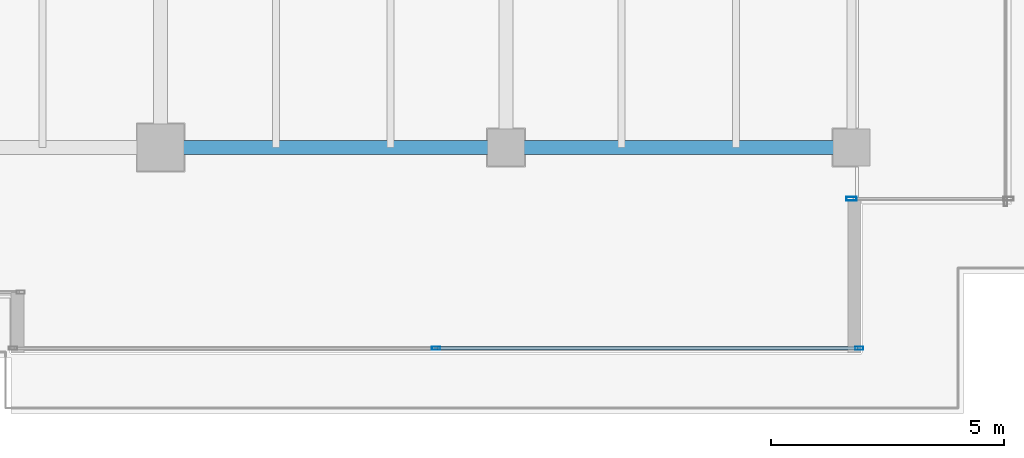
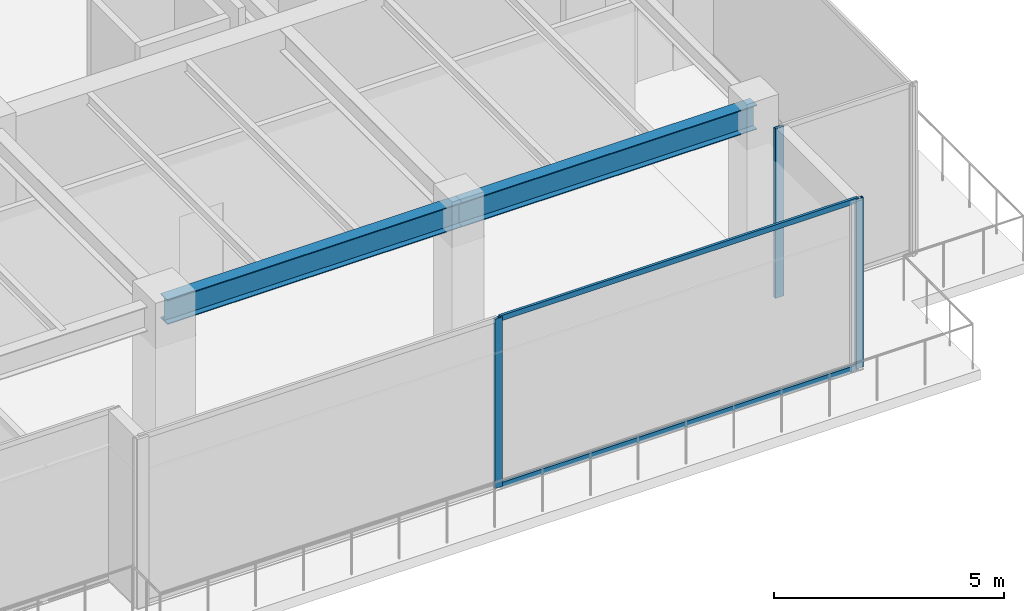
# One storey, part 13 of 37: 5 members, 2 beams, 2 elements without a shape of their own.
"""IFC4 building model written with IfcOpenShell, lengths in metres."""

from ifc_helpers import new_model, si_unit, direction, frame, origin, origin_2d, place, context, subcontext, project, spatial, hollow_rectangle, i_section, extrude, source, transform, mapped, material, layer, layer_set, material_profile, profile_set, type_object, type_shapes, element, aggregate, save


model = new_model("IFC4")

# Units and contexts
model_context = context("Model", 3, precision=1e-05, world=origin(), true_north=direction((0.0, 1.0)))
body_context = subcontext(model_context, "Body", "Model", "MODEL_VIEW")
ifc_project = project(units=[si_unit("LENGTHUNIT", "METRE"), si_unit("AREAUNIT", "SQUARE_METRE"), si_unit("VOLUMEUNIT", "CUBIC_METRE"), si_unit("PLANEANGLEUNIT", "RADIAN"), si_unit("MASSUNIT", "GRAM", prefix="KILO")], contexts=[model_context])

# Site, building, storey
site_placement = place(None, origin())
site = spatial("IfcSite", under=ifc_project, at=site_placement, CompositionType="ELEMENT")
building_placement = place(site_placement, origin())
building = spatial("IfcBuilding", under=site, at=building_placement, Name="Haelvirn Gate Laboratories", CompositionType="ELEMENT")
storey_placement = place(building_placement, frame((0.0, 0.0, 196.60009765625)))
storey = spatial("IfcBuildingStorey", under=building, at=storey_placement, Name="L47", CompositionType="ELEMENT", Elevation=196.60009765625)

# Beams
ifc_material_1 = material(Name="Steel SM355", Category="steel")
ifc_material_profile_1 = material_profile(ifc_material_1, i_section(OverallWidth=0.300048828125, OverallDepth=0.64990234375, WebThickness=0.012939453125, FlangeThickness=0.02197265625, at=origin_2d()), Name="H-650x300x13x22")
ifc_profile_set_1 = profile_set([ifc_material_profile_1], Name="Steel SM355")
beam_type = type_object("IfcBeamType", Name="BM-G-650", PredefinedType="BEAM", material=ifc_profile_set_1)
shared_shape_1 = source(origin(), body_context, "Body", "SweptSolid", [
    extrude(i_section(OverallWidth=0.300048828125, OverallDepth=0.64990234375, WebThickness=0.012939453125, FlangeThickness=0.02197265625, at=origin_2d()), origin(), (0.0, 0.0, 1.0), 7.39990234375),
])
type_shapes(beam_type, [shared_shape_1])
for number, where, z_axis, x_axis, name in (
    (1, (52.60009765625, 7.0, 4.1748046875), (1.0, 0.0, 0.0), (0.0, 1.0, 0.0), "L47 Primary Girder Y7.0 (52.6-60.0)"),
    (2, (60.0, 7.0, 4.1748046875), (1.0, 0.0, 0.0), (0.0, 1.0, 0.0), "L47 Primary Girder Y7.0 (60.0-67.4)"),
):
    element("IfcBeam", number, at=place(storey_placement, frame(where, z_axis=z_axis, x_axis=x_axis)), inside=storey, type_object=beam_type, Name=name, PredefinedType="BEAM", context=body_context, shape_type="MappedRepresentation", body=[
        mapped(shared_shape_1, transform((0.0, 0.0, 0.0), scale=1.0)),
    ])

# Curtain wall, members
ifc_material_2 = material(Name="Anodised bronze unitised aluminium & triple low-E glass", Category="aluminium")
ifc_layer_1 = layer(ifc_material_2, 0.176025390625, Name="CW-SYS-4")
ifc_layer_set_1 = layer_set([ifc_layer_1], Name="Anodised bronze unitised aluminium & triple low-E glass")
curtain_wall_type_1 = type_object("IfcCurtainWallType", Name="CW-SYS-4", PredefinedType="NOTDEFINED", material=ifc_layer_set_1)
curtain_wall_1_placement = place(storey_placement, origin())
curtain_wall_1 = element("IfcCurtainWall", 3, at=curtain_wall_1_placement, inside=storey, type_object=curtain_wall_type_1, Name="L47 Unitised Curtain Wall CW-L47-P0-E04-1", PredefinedType="NOTDEFINED")
ifc_material_3 = material(Name="Extruded aluminium 6063-T6 (anodised bronze)", Category="aluminium")
ifc_material_profile_2 = material_profile(ifc_material_3, hollow_rectangle(XDim=0.070068359375, YDim=0.179931640625, WallThickness=0.0048828125, at=origin_2d()), Name="CWM-180x70x5")
ifc_profile_set_2 = profile_set([ifc_material_profile_2], Name="Extruded aluminium 6063-T6 (anodised bronze)")
member_type_1 = type_object("IfcMemberType", Name="CWM-T180", PredefinedType="MULLION", material=ifc_profile_set_2)
shared_shape_2 = source(origin(), body_context, "Body", "SweptSolid", [
    extrude(hollow_rectangle(XDim=0.070068359375, YDim=0.179931640625, WallThickness=0.0048828125, at=origin_2d()), origin(), (0.0, 0.0, 1.0), 4.5),
])
type_shapes(member_type_1, [shared_shape_2])
member_1_placement = place(storey_placement, frame((58.5, 2.699951171875, 0.0), z_axis=(0.0, 0.0, 1.0), x_axis=(0.0, 1.0, 0.0)))
member_1 = element("IfcMember", 4, at=member_1_placement, type_object=member_type_1, Name="CW4 mullion 2", PredefinedType="MULLION", context=body_context, shape_type="MappedRepresentation", body=[
    mapped(shared_shape_2, transform((0.0, 0.0, 0.0), scale=1.0)),
])
member_2_placement = place(storey_placement, frame((67.56494140625, 2.699951171875, 0.0), z_axis=(0.0, 0.0, 1.0), x_axis=(0.0, 1.0, 0.0)))
member_2 = element("IfcMember", 5, at=member_2_placement, type_object=member_type_1, Name="CW4 mullion 3", PredefinedType="MULLION", context=body_context, shape_type="MappedRepresentation", body=[
    mapped(shared_shape_2, transform((0.0, 0.0, 0.0), scale=1.0)),
])
ifc_material_profile_3 = material_profile(ifc_material_3, hollow_rectangle(XDim=0.06494140625, YDim=0.139892578125, WallThickness=0.00390625, at=origin_2d()), Name="CWT-140x65x4")
ifc_profile_set_3 = profile_set([ifc_material_profile_3], Name="Extruded aluminium 6063-T6 (anodised bronze)")
member_type_2 = type_object("IfcMemberType", Name="CWT-T140", PredefinedType="USERDEFINED", material=ifc_profile_set_3)
shared_shape_3 = source(origin(), body_context, "Body", "SweptSolid", [
    extrude(hollow_rectangle(XDim=0.06494140625, YDim=0.139892578125, WallThickness=0.00390625, at=origin_2d()), origin(), (0.0, 0.0, 1.0), 8.9951171875),
])
type_shapes(member_type_2, [shared_shape_3])
member_3_placement = place(storey_placement, frame((58.534912109375, 2.699951171875, 0.032470703125), z_axis=(1.0, 0.0, 0.0), x_axis=(0.0, 1.0, 0.0)))
member_3 = element("IfcMember", 6, at=member_3_placement, type_object=member_type_2, Name="CW4 transom 2.1", ObjectType="TRANSOM", PredefinedType="USERDEFINED", context=body_context, shape_type="MappedRepresentation", body=[
    mapped(shared_shape_3, transform((0.0, 0.0, 0.0), scale=1.0)),
])
member_4_placement = place(storey_placement, frame((58.534912109375, 2.699951171875, 4.46728515625), z_axis=(1.0, 0.0, 0.0), x_axis=(0.0, 1.0, 0.0)))
member_4 = element("IfcMember", 7, at=member_4_placement, type_object=member_type_2, Name="CW4 transom 2.2", ObjectType="TRANSOM", PredefinedType="USERDEFINED", context=body_context, shape_type="MappedRepresentation", body=[
    mapped(shared_shape_3, transform((0.0, 0.0, 0.0), scale=1.0)),
])
aggregate(curtain_wall_1, [member_1, member_2, member_3, member_4])

# Curtain wall, member
ifc_layer_2 = layer(ifc_material_2, 0.181884765625, Name="CW-SYS-5")
ifc_layer_set_2 = layer_set([ifc_layer_2], Name="Anodised bronze unitised aluminium & triple low-E glass")
curtain_wall_type_2 = type_object("IfcCurtainWallType", Name="CW-SYS-5", PredefinedType="NOTDEFINED", material=ifc_layer_set_2)
curtain_wall_2_placement = place(storey_placement, origin())
curtain_wall_2 = element("IfcCurtainWall", 8, at=curtain_wall_2_placement, inside=storey, type_object=curtain_wall_type_2, Name="L47 Unitised Curtain Wall CW-L47-P0-E06-1", PredefinedType="NOTDEFINED")
ifc_material_profile_4 = material_profile(ifc_material_3, hollow_rectangle(XDim=0.080078125, YDim=0.219970703125, WallThickness=0.006103515625, at=origin_2d()), Name="CWM-220x80x6")
ifc_profile_set_4 = profile_set([ifc_material_profile_4], Name="Extruded aluminium 6063-T6 (anodised bronze)")
member_type_3 = type_object("IfcMemberType", Name="CWM-T220", PredefinedType="MULLION", material=ifc_profile_set_4)
shared_shape_4 = source(origin(), body_context, "Body", "SweptSolid", [
    extrude(hollow_rectangle(XDim=0.080078125, YDim=0.219970703125, WallThickness=0.006103515625, at=origin_2d()), origin(), (0.0, 0.0, 1.0), 4.5),
])
type_shapes(member_type_3, [shared_shape_4])
member_5_placement = place(storey_placement, frame((67.39990234375, 5.89990234375, 0.0), z_axis=(0.0, 0.0, 1.0), x_axis=(0.0, 1.0, 0.0)))
member_5 = element("IfcMember", 9, at=member_5_placement, type_object=member_type_3, Name="CW5 mullion 1", PredefinedType="MULLION", context=body_context, shape_type="MappedRepresentation", body=[
    mapped(shared_shape_4, transform((0.0, 0.0, 0.0), scale=1.0)),
])
aggregate(curtain_wall_2, [member_5])

save(model, "model.ifc")
